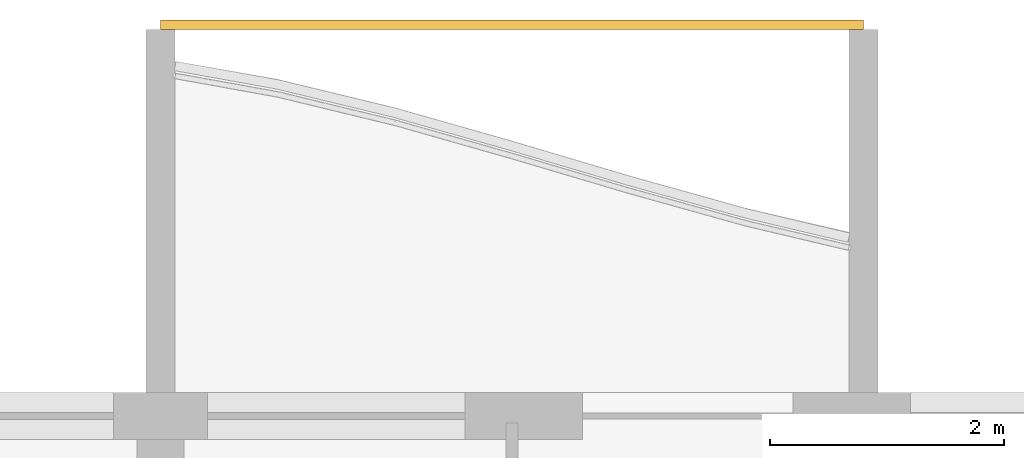
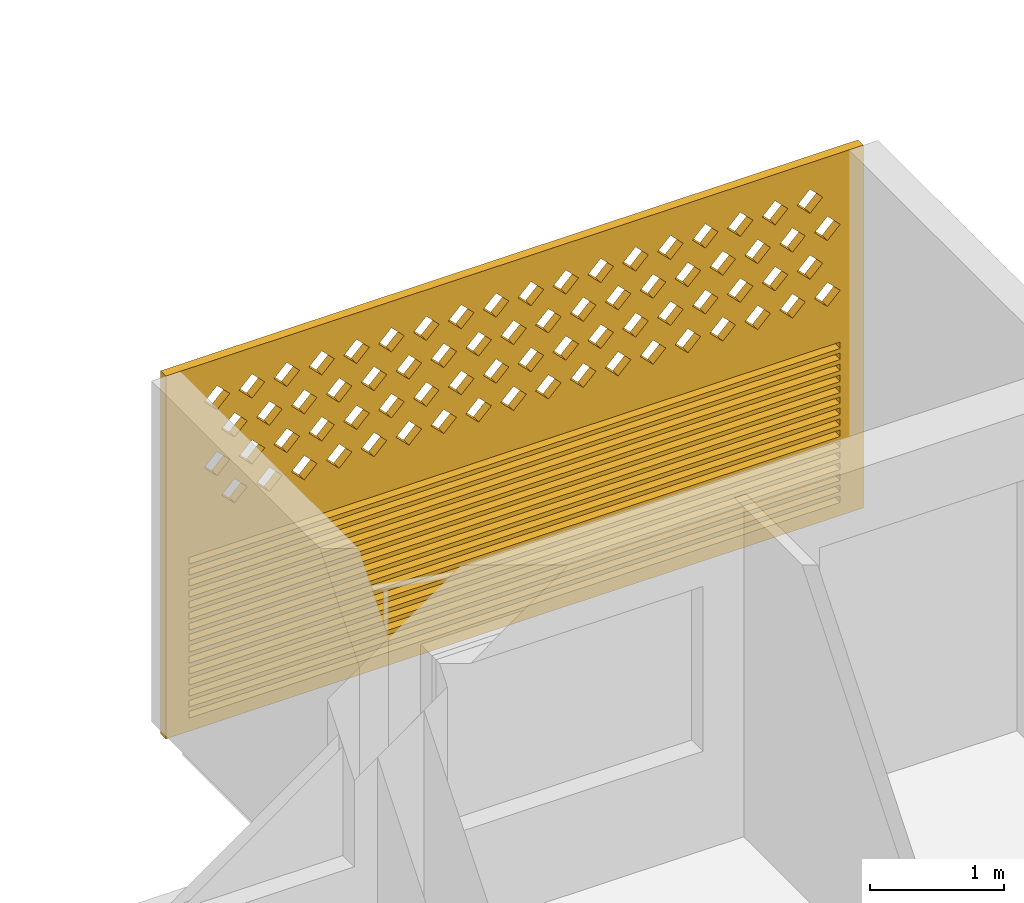
# One storey, part 29 of 38: 1 covering.
"""IFC4 building model written with IfcOpenShell, lengths in metres."""

from ifc_helpers import new_model, si_unit, direction, frame, origin, place, context, subcontext, project, spatial, polyline, outline, extrude, source, transform, mapped, material, material_profile, profile_set, type_object, element, save


model = new_model("IFC4")

# Units and contexts
model_context = context("Model", 3, precision=1e-05, world=origin(), true_north=direction((0.0, 1.0)))
body_context = subcontext(model_context, "Body", "Model", "MODEL_VIEW")
ifc_project = project(units=[si_unit("LENGTHUNIT", "METRE"), si_unit("AREAUNIT", "SQUARE_METRE"), si_unit("VOLUMEUNIT", "CUBIC_METRE"), si_unit("PLANEANGLEUNIT", "RADIAN"), si_unit("MASSUNIT", "GRAM", prefix="KILO")], contexts=[model_context])

# Site, building, storey
site_placement = place(None, origin())
site = spatial("IfcSite", under=ifc_project, at=site_placement, CompositionType="ELEMENT")
building_placement = place(site_placement, origin())
building = spatial("IfcBuilding", under=site, at=building_placement, Name="Poui Terraces", CompositionType="ELEMENT")
storey_placement = place(building_placement, frame((0.0, 0.0, 49.800048828125)))
storey = spatial("IfcBuildingStorey", under=building, at=storey_placement, Name="L13", CompositionType="ELEMENT", Elevation=49.800048828125)

# Covering
ifc_material = material(Name="Terracotta screen", Category="masonry")
ifc_material_profile = material_profile(ifc_material, outline(polyline([(-3.0, -1.64990234375), (3.0, -1.64990234375), (3.0, 1.64990234375), (-3.0, 1.64990234375), (-3.0, -1.64990234375)]), holes=[polyline([(-2.800048828125, 0.39990234375), (-2.68994140625, 0.2900390625), (-2.580078125, 0.39990234375), (-2.68994140625, 0.510009765625), (-2.800048828125, 0.39990234375)]), polyline([(-2.5, 0.39990234375), (-2.389892578125, 0.2900390625), (-2.280029296875, 0.39990234375), (-2.389892578125, 0.510009765625), (-2.5, 0.39990234375)]), polyline([(-2.199951171875, 0.39990234375), (-2.090087890625, 0.2900390625), (-1.97998046875, 0.39990234375), (-2.090087890625, 0.510009765625), (-2.199951171875, 0.39990234375)]), polyline([(-1.89990234375, 0.39990234375), (-1.7900390625, 0.2900390625), (-1.679931640625, 0.39990234375), (-1.7900390625, 0.510009765625), (-1.89990234375, 0.39990234375)]), polyline([(-1.60009765625, 0.39990234375), (-1.489990234375, 0.2900390625), (-1.3798828125, 0.39990234375), (-1.489990234375, 0.510009765625), (-1.60009765625, 0.39990234375)]), polyline([(-1.300048828125, 0.39990234375), (-1.18994140625, 0.2900390625), (-1.080078125, 0.39990234375), (-1.18994140625, 0.510009765625), (-1.300048828125, 0.39990234375)]), polyline([(-1.0, 0.39990234375), (-0.889892578125, 0.2900390625), (-0.780029296875, 0.39990234375), (-0.889892578125, 0.510009765625), (-1.0, 0.39990234375)]), polyline([(-0.699951171875, 0.39990234375), (-0.590087890625, 0.2900390625), (-0.47998046875, 0.39990234375), (-0.590087890625, 0.510009765625), (-0.699951171875, 0.39990234375)]), polyline([(-0.39990234375, 0.39990234375), (-0.2900390625, 0.2900390625), (-0.179931640625, 0.39990234375), (-0.2900390625, 0.510009765625), (-0.39990234375, 0.39990234375)]), polyline([(-0.10009765625, 0.39990234375), (0.010009765625, 0.2900390625), (0.1201171875, 0.39990234375), (0.010009765625, 0.510009765625), (-0.10009765625, 0.39990234375)]), polyline([(0.199951171875, 0.39990234375), (0.31005859375, 0.2900390625), (0.419921875, 0.39990234375), (0.31005859375, 0.510009765625), (0.199951171875, 0.39990234375)]), polyline([(0.5, 0.39990234375), (0.610107421875, 0.2900390625), (0.719970703125, 0.39990234375), (0.610107421875, 0.510009765625), (0.5, 0.39990234375)]), polyline([(0.800048828125, 0.39990234375), (0.909912109375, 0.2900390625), (1.02001953125, 0.39990234375), (0.909912109375, 0.510009765625), (0.800048828125, 0.39990234375)]), polyline([(1.10009765625, 0.39990234375), (1.2099609375, 0.2900390625), (1.320068359375, 0.39990234375), (1.2099609375, 0.510009765625), (1.10009765625, 0.39990234375)]), polyline([(1.39990234375, 0.39990234375), (1.510009765625, 0.2900390625), (1.6201171875, 0.39990234375), (1.510009765625, 0.510009765625), (1.39990234375, 0.39990234375)]), polyline([(1.699951171875, 0.39990234375), (1.81005859375, 0.2900390625), (1.919921875, 0.39990234375), (1.81005859375, 0.510009765625), (1.699951171875, 0.39990234375)]), polyline([(2.0, 0.39990234375), (2.110107421875, 0.2900390625), (2.219970703125, 0.39990234375), (2.110107421875, 0.510009765625), (2.0, 0.39990234375)]), polyline([(2.300048828125, 0.39990234375), (2.409912109375, 0.2900390625), (2.52001953125, 0.39990234375), (2.409912109375, 0.510009765625), (2.300048828125, 0.39990234375)]), polyline([(-2.64990234375, 0.699951171875), (-2.5400390625, 0.590087890625), (-2.429931640625, 0.699951171875), (-2.5400390625, 0.81005859375), (-2.64990234375, 0.699951171875)]), polyline([(-2.35009765625, 0.699951171875), (-2.239990234375, 0.590087890625), (-2.1298828125, 0.699951171875), (-2.239990234375, 0.81005859375), (-2.35009765625, 0.699951171875)]), polyline([(-2.050048828125, 0.699951171875), (-1.93994140625, 0.590087890625), (-1.830078125, 0.699951171875), (-1.93994140625, 0.81005859375), (-2.050048828125, 0.699951171875)]), polyline([(-1.75, 0.699951171875), (-1.639892578125, 0.590087890625), (-1.530029296875, 0.699951171875), (-1.639892578125, 0.81005859375), (-1.75, 0.699951171875)]), polyline([(-1.449951171875, 0.699951171875), (-1.340087890625, 0.590087890625), (-1.22998046875, 0.699951171875), (-1.340087890625, 0.81005859375), (-1.449951171875, 0.699951171875)]), polyline([(-1.14990234375, 0.699951171875), (-1.0400390625, 0.590087890625), (-0.929931640625, 0.699951171875), (-1.0400390625, 0.81005859375), (-1.14990234375, 0.699951171875)]), polyline([(-0.85009765625, 0.699951171875), (-0.739990234375, 0.590087890625), (-0.6298828125, 0.699951171875), (-0.739990234375, 0.81005859375), (-0.85009765625, 0.699951171875)]), polyline([(-0.550048828125, 0.699951171875), (-0.43994140625, 0.590087890625), (-0.330078125, 0.699951171875), (-0.43994140625, 0.81005859375), (-0.550048828125, 0.699951171875)]), polyline([(-0.25, 0.699951171875), (-0.139892578125, 0.590087890625), (-0.030029296875, 0.699951171875), (-0.139892578125, 0.81005859375), (-0.25, 0.699951171875)]), polyline([(0.050048828125, 0.699951171875), (0.159912109375, 0.590087890625), (0.27001953125, 0.699951171875), (0.159912109375, 0.81005859375), (0.050048828125, 0.699951171875)]), polyline([(0.35009765625, 0.699951171875), (0.4599609375, 0.590087890625), (0.570068359375, 0.699951171875), (0.4599609375, 0.81005859375), (0.35009765625, 0.699951171875)]), polyline([(0.64990234375, 0.699951171875), (0.760009765625, 0.590087890625), (0.8701171875, 0.699951171875), (0.760009765625, 0.81005859375), (0.64990234375, 0.699951171875)]), polyline([(0.949951171875, 0.699951171875), (1.06005859375, 0.590087890625), (1.169921875, 0.699951171875), (1.06005859375, 0.81005859375), (0.949951171875, 0.699951171875)]), polyline([(1.25, 0.699951171875), (1.360107421875, 0.590087890625), (1.469970703125, 0.699951171875), (1.360107421875, 0.81005859375), (1.25, 0.699951171875)]), polyline([(1.550048828125, 0.699951171875), (1.659912109375, 0.590087890625), (1.77001953125, 0.699951171875), (1.659912109375, 0.81005859375), (1.550048828125, 0.699951171875)]), polyline([(1.85009765625, 0.699951171875), (1.9599609375, 0.590087890625), (2.070068359375, 0.699951171875), (1.9599609375, 0.81005859375), (1.85009765625, 0.699951171875)]), polyline([(2.14990234375, 0.699951171875), (2.260009765625, 0.590087890625), (2.3701171875, 0.699951171875), (2.260009765625, 0.81005859375), (2.14990234375, 0.699951171875)]), polyline([(2.449951171875, 0.699951171875), (2.56005859375, 0.590087890625), (2.669921875, 0.699951171875), (2.56005859375, 0.81005859375), (2.449951171875, 0.699951171875)]), polyline([(-2.800048828125, 1.0), (-2.68994140625, 0.889892578125), (-2.580078125, 1.0), (-2.68994140625, 1.110107421875), (-2.800048828125, 1.0)]), polyline([(-2.5, 1.0), (-2.389892578125, 0.889892578125), (-2.280029296875, 1.0), (-2.389892578125, 1.110107421875), (-2.5, 1.0)]), polyline([(-2.199951171875, 1.0), (-2.090087890625, 0.889892578125), (-1.97998046875, 1.0), (-2.090087890625, 1.110107421875), (-2.199951171875, 1.0)]), polyline([(-1.89990234375, 1.0), (-1.7900390625, 0.889892578125), (-1.679931640625, 1.0), (-1.7900390625, 1.110107421875), (-1.89990234375, 1.0)]), polyline([(-1.60009765625, 1.0), (-1.489990234375, 0.889892578125), (-1.3798828125, 1.0), (-1.489990234375, 1.110107421875), (-1.60009765625, 1.0)]), polyline([(-1.300048828125, 1.0), (-1.18994140625, 0.889892578125), (-1.080078125, 1.0), (-1.18994140625, 1.110107421875), (-1.300048828125, 1.0)]), polyline([(-1.0, 1.0), (-0.889892578125, 0.889892578125), (-0.780029296875, 1.0), (-0.889892578125, 1.110107421875), (-1.0, 1.0)]), polyline([(-0.699951171875, 1.0), (-0.590087890625, 0.889892578125), (-0.47998046875, 1.0), (-0.590087890625, 1.110107421875), (-0.699951171875, 1.0)]), polyline([(-0.39990234375, 1.0), (-0.2900390625, 0.889892578125), (-0.179931640625, 1.0), (-0.2900390625, 1.110107421875), (-0.39990234375, 1.0)]), polyline([(-0.10009765625, 1.0), (0.010009765625, 0.889892578125), (0.1201171875, 1.0), (0.010009765625, 1.110107421875), (-0.10009765625, 1.0)]), polyline([(0.199951171875, 1.0), (0.31005859375, 0.889892578125), (0.419921875, 1.0), (0.31005859375, 1.110107421875), (0.199951171875, 1.0)]), polyline([(0.5, 1.0), (0.610107421875, 0.889892578125), (0.719970703125, 1.0), (0.610107421875, 1.110107421875), (0.5, 1.0)]), polyline([(0.800048828125, 1.0), (0.909912109375, 0.889892578125), (1.02001953125, 1.0), (0.909912109375, 1.110107421875), (0.800048828125, 1.0)]), polyline([(1.10009765625, 1.0), (1.2099609375, 0.889892578125), (1.320068359375, 1.0), (1.2099609375, 1.110107421875), (1.10009765625, 1.0)]), polyline([(1.39990234375, 1.0), (1.510009765625, 0.889892578125), (1.6201171875, 1.0), (1.510009765625, 1.110107421875), (1.39990234375, 1.0)]), polyline([(1.699951171875, 1.0), (1.81005859375, 0.889892578125), (1.919921875, 1.0), (1.81005859375, 1.110107421875), (1.699951171875, 1.0)]), polyline([(2.0, 1.0), (2.110107421875, 0.889892578125), (2.219970703125, 1.0), (2.110107421875, 1.110107421875), (2.0, 1.0)]), polyline([(2.300048828125, 1.0), (2.409912109375, 0.889892578125), (2.52001953125, 1.0), (2.409912109375, 1.110107421875), (2.300048828125, 1.0)]), polyline([(-2.64990234375, 1.300048828125), (-2.5400390625, 1.18994140625), (-2.429931640625, 1.300048828125), (-2.5400390625, 1.409912109375), (-2.64990234375, 1.300048828125)]), polyline([(-2.35009765625, 1.300048828125), (-2.239990234375, 1.18994140625), (-2.1298828125, 1.300048828125), (-2.239990234375, 1.409912109375), (-2.35009765625, 1.300048828125)]), polyline([(-2.050048828125, 1.300048828125), (-1.93994140625, 1.18994140625), (-1.830078125, 1.300048828125), (-1.93994140625, 1.409912109375), (-2.050048828125, 1.300048828125)]), polyline([(-1.75, 1.300048828125), (-1.639892578125, 1.18994140625), (-1.530029296875, 1.300048828125), (-1.639892578125, 1.409912109375), (-1.75, 1.300048828125)]), polyline([(-1.449951171875, 1.300048828125), (-1.340087890625, 1.18994140625), (-1.22998046875, 1.300048828125), (-1.340087890625, 1.409912109375), (-1.449951171875, 1.300048828125)]), polyline([(-1.14990234375, 1.300048828125), (-1.0400390625, 1.18994140625), (-0.929931640625, 1.300048828125), (-1.0400390625, 1.409912109375), (-1.14990234375, 1.300048828125)]), polyline([(-0.85009765625, 1.300048828125), (-0.739990234375, 1.18994140625), (-0.6298828125, 1.300048828125), (-0.739990234375, 1.409912109375), (-0.85009765625, 1.300048828125)]), polyline([(-0.550048828125, 1.300048828125), (-0.43994140625, 1.18994140625), (-0.330078125, 1.300048828125), (-0.43994140625, 1.409912109375), (-0.550048828125, 1.300048828125)]), polyline([(-0.25, 1.300048828125), (-0.139892578125, 1.18994140625), (-0.030029296875, 1.300048828125), (-0.139892578125, 1.409912109375), (-0.25, 1.300048828125)]), polyline([(0.050048828125, 1.300048828125), (0.159912109375, 1.18994140625), (0.27001953125, 1.300048828125), (0.159912109375, 1.409912109375), (0.050048828125, 1.300048828125)]), polyline([(0.35009765625, 1.300048828125), (0.4599609375, 1.18994140625), (0.570068359375, 1.300048828125), (0.4599609375, 1.409912109375), (0.35009765625, 1.300048828125)]), polyline([(0.64990234375, 1.300048828125), (0.760009765625, 1.18994140625), (0.8701171875, 1.300048828125), (0.760009765625, 1.409912109375), (0.64990234375, 1.300048828125)]), polyline([(0.949951171875, 1.300048828125), (1.06005859375, 1.18994140625), (1.169921875, 1.300048828125), (1.06005859375, 1.409912109375), (0.949951171875, 1.300048828125)]), polyline([(1.25, 1.300048828125), (1.360107421875, 1.18994140625), (1.469970703125, 1.300048828125), (1.360107421875, 1.409912109375), (1.25, 1.300048828125)]), polyline([(1.550048828125, 1.300048828125), (1.659912109375, 1.18994140625), (1.77001953125, 1.300048828125), (1.659912109375, 1.409912109375), (1.550048828125, 1.300048828125)]), polyline([(1.85009765625, 1.300048828125), (1.9599609375, 1.18994140625), (2.070068359375, 1.300048828125), (1.9599609375, 1.409912109375), (1.85009765625, 1.300048828125)]), polyline([(2.14990234375, 1.300048828125), (2.260009765625, 1.18994140625), (2.3701171875, 1.300048828125), (2.260009765625, 1.409912109375), (2.14990234375, 1.300048828125)]), polyline([(2.449951171875, 1.300048828125), (2.56005859375, 1.18994140625), (2.669921875, 1.300048828125), (2.56005859375, 1.409912109375), (2.449951171875, 1.300048828125)]), polyline([(-2.800048828125, -1.530029296875), (2.800048828125, -1.530029296875), (2.800048828125, -1.469970703125), (-2.800048828125, -1.469970703125), (-2.800048828125, -1.530029296875)]), polyline([(-2.800048828125, -1.429931640625), (2.800048828125, -1.429931640625), (2.800048828125, -1.3701171875), (-2.800048828125, -1.3701171875), (-2.800048828125, -1.429931640625)]), polyline([(-2.800048828125, -1.330078125), (2.800048828125, -1.330078125), (2.800048828125, -1.27001953125), (-2.800048828125, -1.27001953125), (-2.800048828125, -1.330078125)]), polyline([(-2.800048828125, -1.22998046875), (2.800048828125, -1.22998046875), (2.800048828125, -1.169921875), (-2.800048828125, -1.169921875), (-2.800048828125, -1.22998046875)]), polyline([(-2.800048828125, -1.1298828125), (2.800048828125, -1.1298828125), (2.800048828125, -1.070068359375), (-2.800048828125, -1.070068359375), (-2.800048828125, -1.1298828125)]), polyline([(-2.800048828125, -1.030029296875), (2.800048828125, -1.030029296875), (2.800048828125, -0.969970703125), (-2.800048828125, -0.969970703125), (-2.800048828125, -1.030029296875)]), polyline([(-2.800048828125, -0.929931640625), (2.800048828125, -0.929931640625), (2.800048828125, -0.8701171875), (-2.800048828125, -0.8701171875), (-2.800048828125, -0.929931640625)]), polyline([(-2.800048828125, -0.830078125), (2.800048828125, -0.830078125), (2.800048828125, -0.77001953125), (-2.800048828125, -0.77001953125), (-2.800048828125, -0.830078125)]), polyline([(-2.800048828125, -0.72998046875), (2.800048828125, -0.72998046875), (2.800048828125, -0.669921875), (-2.800048828125, -0.669921875), (-2.800048828125, -0.72998046875)]), polyline([(-2.800048828125, -0.6298828125), (2.800048828125, -0.6298828125), (2.800048828125, -0.570068359375), (-2.800048828125, -0.570068359375), (-2.800048828125, -0.6298828125)]), polyline([(-2.800048828125, -0.530029296875), (2.800048828125, -0.530029296875), (2.800048828125, -0.469970703125), (-2.800048828125, -0.469970703125), (-2.800048828125, -0.530029296875)]), polyline([(-2.800048828125, -0.429931640625), (2.800048828125, -0.429931640625), (2.800048828125, -0.3701171875), (-2.800048828125, -0.3701171875), (-2.800048828125, -0.429931640625)]), polyline([(-2.800048828125, -0.330078125), (2.800048828125, -0.330078125), (2.800048828125, -0.27001953125), (-2.800048828125, -0.27001953125), (-2.800048828125, -0.330078125)]), polyline([(-2.800048828125, -0.22998046875), (2.800048828125, -0.22998046875), (2.800048828125, -0.169921875), (-2.800048828125, -0.169921875), (-2.800048828125, -0.22998046875)]), polyline([(-2.800048828125, -0.1298828125), (2.800048828125, -0.1298828125), (2.800048828125, -0.070068359375), (-2.800048828125, -0.070068359375), (-2.800048828125, -0.1298828125)])]), Name="TERRACOTTA SCREEN AND JALOUSIE LOUVRE 6000X3300")
ifc_profile_set = profile_set([ifc_material_profile], Name="Terracotta screen")
covering_type = type_object("IfcCoveringType", Name="TERRACOTTA SCREEN AND JALOUSIE LOUVRE 6000X3300", PredefinedType="CLADDING", material=ifc_profile_set)
shared_shape = source(origin(), body_context, "Body", "SweptSolid", [
    extrude(outline(polyline([(-3.0, -1.64990234375), (3.0, -1.64990234375), (3.0, 1.64990234375), (-3.0, 1.64990234375), (-3.0, -1.64990234375)]), holes=[polyline([(-2.800048828125, 0.39990234375), (-2.68994140625, 0.2900390625), (-2.580078125, 0.39990234375), (-2.68994140625, 0.510009765625), (-2.800048828125, 0.39990234375)]), polyline([(-2.5, 0.39990234375), (-2.389892578125, 0.2900390625), (-2.280029296875, 0.39990234375), (-2.389892578125, 0.510009765625), (-2.5, 0.39990234375)]), polyline([(-2.199951171875, 0.39990234375), (-2.090087890625, 0.2900390625), (-1.97998046875, 0.39990234375), (-2.090087890625, 0.510009765625), (-2.199951171875, 0.39990234375)]), polyline([(-1.89990234375, 0.39990234375), (-1.7900390625, 0.2900390625), (-1.679931640625, 0.39990234375), (-1.7900390625, 0.510009765625), (-1.89990234375, 0.39990234375)]), polyline([(-1.60009765625, 0.39990234375), (-1.489990234375, 0.2900390625), (-1.3798828125, 0.39990234375), (-1.489990234375, 0.510009765625), (-1.60009765625, 0.39990234375)]), polyline([(-1.300048828125, 0.39990234375), (-1.18994140625, 0.2900390625), (-1.080078125, 0.39990234375), (-1.18994140625, 0.510009765625), (-1.300048828125, 0.39990234375)]), polyline([(-1.0, 0.39990234375), (-0.889892578125, 0.2900390625), (-0.780029296875, 0.39990234375), (-0.889892578125, 0.510009765625), (-1.0, 0.39990234375)]), polyline([(-0.699951171875, 0.39990234375), (-0.590087890625, 0.2900390625), (-0.47998046875, 0.39990234375), (-0.590087890625, 0.510009765625), (-0.699951171875, 0.39990234375)]), polyline([(-0.39990234375, 0.39990234375), (-0.2900390625, 0.2900390625), (-0.179931640625, 0.39990234375), (-0.2900390625, 0.510009765625), (-0.39990234375, 0.39990234375)]), polyline([(-0.10009765625, 0.39990234375), (0.010009765625, 0.2900390625), (0.1201171875, 0.39990234375), (0.010009765625, 0.510009765625), (-0.10009765625, 0.39990234375)]), polyline([(0.199951171875, 0.39990234375), (0.31005859375, 0.2900390625), (0.419921875, 0.39990234375), (0.31005859375, 0.510009765625), (0.199951171875, 0.39990234375)]), polyline([(0.5, 0.39990234375), (0.610107421875, 0.2900390625), (0.719970703125, 0.39990234375), (0.610107421875, 0.510009765625), (0.5, 0.39990234375)]), polyline([(0.800048828125, 0.39990234375), (0.909912109375, 0.2900390625), (1.02001953125, 0.39990234375), (0.909912109375, 0.510009765625), (0.800048828125, 0.39990234375)]), polyline([(1.10009765625, 0.39990234375), (1.2099609375, 0.2900390625), (1.320068359375, 0.39990234375), (1.2099609375, 0.510009765625), (1.10009765625, 0.39990234375)]), polyline([(1.39990234375, 0.39990234375), (1.510009765625, 0.2900390625), (1.6201171875, 0.39990234375), (1.510009765625, 0.510009765625), (1.39990234375, 0.39990234375)]), polyline([(1.699951171875, 0.39990234375), (1.81005859375, 0.2900390625), (1.919921875, 0.39990234375), (1.81005859375, 0.510009765625), (1.699951171875, 0.39990234375)]), polyline([(2.0, 0.39990234375), (2.110107421875, 0.2900390625), (2.219970703125, 0.39990234375), (2.110107421875, 0.510009765625), (2.0, 0.39990234375)]), polyline([(2.300048828125, 0.39990234375), (2.409912109375, 0.2900390625), (2.52001953125, 0.39990234375), (2.409912109375, 0.510009765625), (2.300048828125, 0.39990234375)]), polyline([(-2.64990234375, 0.699951171875), (-2.5400390625, 0.590087890625), (-2.429931640625, 0.699951171875), (-2.5400390625, 0.81005859375), (-2.64990234375, 0.699951171875)]), polyline([(-2.35009765625, 0.699951171875), (-2.239990234375, 0.590087890625), (-2.1298828125, 0.699951171875), (-2.239990234375, 0.81005859375), (-2.35009765625, 0.699951171875)]), polyline([(-2.050048828125, 0.699951171875), (-1.93994140625, 0.590087890625), (-1.830078125, 0.699951171875), (-1.93994140625, 0.81005859375), (-2.050048828125, 0.699951171875)]), polyline([(-1.75, 0.699951171875), (-1.639892578125, 0.590087890625), (-1.530029296875, 0.699951171875), (-1.639892578125, 0.81005859375), (-1.75, 0.699951171875)]), polyline([(-1.449951171875, 0.699951171875), (-1.340087890625, 0.590087890625), (-1.22998046875, 0.699951171875), (-1.340087890625, 0.81005859375), (-1.449951171875, 0.699951171875)]), polyline([(-1.14990234375, 0.699951171875), (-1.0400390625, 0.590087890625), (-0.929931640625, 0.699951171875), (-1.0400390625, 0.81005859375), (-1.14990234375, 0.699951171875)]), polyline([(-0.85009765625, 0.699951171875), (-0.739990234375, 0.590087890625), (-0.6298828125, 0.699951171875), (-0.739990234375, 0.81005859375), (-0.85009765625, 0.699951171875)]), polyline([(-0.550048828125, 0.699951171875), (-0.43994140625, 0.590087890625), (-0.330078125, 0.699951171875), (-0.43994140625, 0.81005859375), (-0.550048828125, 0.699951171875)]), polyline([(-0.25, 0.699951171875), (-0.139892578125, 0.590087890625), (-0.030029296875, 0.699951171875), (-0.139892578125, 0.81005859375), (-0.25, 0.699951171875)]), polyline([(0.050048828125, 0.699951171875), (0.159912109375, 0.590087890625), (0.27001953125, 0.699951171875), (0.159912109375, 0.81005859375), (0.050048828125, 0.699951171875)]), polyline([(0.35009765625, 0.699951171875), (0.4599609375, 0.590087890625), (0.570068359375, 0.699951171875), (0.4599609375, 0.81005859375), (0.35009765625, 0.699951171875)]), polyline([(0.64990234375, 0.699951171875), (0.760009765625, 0.590087890625), (0.8701171875, 0.699951171875), (0.760009765625, 0.81005859375), (0.64990234375, 0.699951171875)]), polyline([(0.949951171875, 0.699951171875), (1.06005859375, 0.590087890625), (1.169921875, 0.699951171875), (1.06005859375, 0.81005859375), (0.949951171875, 0.699951171875)]), polyline([(1.25, 0.699951171875), (1.360107421875, 0.590087890625), (1.469970703125, 0.699951171875), (1.360107421875, 0.81005859375), (1.25, 0.699951171875)]), polyline([(1.550048828125, 0.699951171875), (1.659912109375, 0.590087890625), (1.77001953125, 0.699951171875), (1.659912109375, 0.81005859375), (1.550048828125, 0.699951171875)]), polyline([(1.85009765625, 0.699951171875), (1.9599609375, 0.590087890625), (2.070068359375, 0.699951171875), (1.9599609375, 0.81005859375), (1.85009765625, 0.699951171875)]), polyline([(2.14990234375, 0.699951171875), (2.260009765625, 0.590087890625), (2.3701171875, 0.699951171875), (2.260009765625, 0.81005859375), (2.14990234375, 0.699951171875)]), polyline([(2.449951171875, 0.699951171875), (2.56005859375, 0.590087890625), (2.669921875, 0.699951171875), (2.56005859375, 0.81005859375), (2.449951171875, 0.699951171875)]), polyline([(-2.800048828125, 1.0), (-2.68994140625, 0.889892578125), (-2.580078125, 1.0), (-2.68994140625, 1.110107421875), (-2.800048828125, 1.0)]), polyline([(-2.5, 1.0), (-2.389892578125, 0.889892578125), (-2.280029296875, 1.0), (-2.389892578125, 1.110107421875), (-2.5, 1.0)]), polyline([(-2.199951171875, 1.0), (-2.090087890625, 0.889892578125), (-1.97998046875, 1.0), (-2.090087890625, 1.110107421875), (-2.199951171875, 1.0)]), polyline([(-1.89990234375, 1.0), (-1.7900390625, 0.889892578125), (-1.679931640625, 1.0), (-1.7900390625, 1.110107421875), (-1.89990234375, 1.0)]), polyline([(-1.60009765625, 1.0), (-1.489990234375, 0.889892578125), (-1.3798828125, 1.0), (-1.489990234375, 1.110107421875), (-1.60009765625, 1.0)]), polyline([(-1.300048828125, 1.0), (-1.18994140625, 0.889892578125), (-1.080078125, 1.0), (-1.18994140625, 1.110107421875), (-1.300048828125, 1.0)]), polyline([(-1.0, 1.0), (-0.889892578125, 0.889892578125), (-0.780029296875, 1.0), (-0.889892578125, 1.110107421875), (-1.0, 1.0)]), polyline([(-0.699951171875, 1.0), (-0.590087890625, 0.889892578125), (-0.47998046875, 1.0), (-0.590087890625, 1.110107421875), (-0.699951171875, 1.0)]), polyline([(-0.39990234375, 1.0), (-0.2900390625, 0.889892578125), (-0.179931640625, 1.0), (-0.2900390625, 1.110107421875), (-0.39990234375, 1.0)]), polyline([(-0.10009765625, 1.0), (0.010009765625, 0.889892578125), (0.1201171875, 1.0), (0.010009765625, 1.110107421875), (-0.10009765625, 1.0)]), polyline([(0.199951171875, 1.0), (0.31005859375, 0.889892578125), (0.419921875, 1.0), (0.31005859375, 1.110107421875), (0.199951171875, 1.0)]), polyline([(0.5, 1.0), (0.610107421875, 0.889892578125), (0.719970703125, 1.0), (0.610107421875, 1.110107421875), (0.5, 1.0)]), polyline([(0.800048828125, 1.0), (0.909912109375, 0.889892578125), (1.02001953125, 1.0), (0.909912109375, 1.110107421875), (0.800048828125, 1.0)]), polyline([(1.10009765625, 1.0), (1.2099609375, 0.889892578125), (1.320068359375, 1.0), (1.2099609375, 1.110107421875), (1.10009765625, 1.0)]), polyline([(1.39990234375, 1.0), (1.510009765625, 0.889892578125), (1.6201171875, 1.0), (1.510009765625, 1.110107421875), (1.39990234375, 1.0)]), polyline([(1.699951171875, 1.0), (1.81005859375, 0.889892578125), (1.919921875, 1.0), (1.81005859375, 1.110107421875), (1.699951171875, 1.0)]), polyline([(2.0, 1.0), (2.110107421875, 0.889892578125), (2.219970703125, 1.0), (2.110107421875, 1.110107421875), (2.0, 1.0)]), polyline([(2.300048828125, 1.0), (2.409912109375, 0.889892578125), (2.52001953125, 1.0), (2.409912109375, 1.110107421875), (2.300048828125, 1.0)]), polyline([(-2.64990234375, 1.300048828125), (-2.5400390625, 1.18994140625), (-2.429931640625, 1.300048828125), (-2.5400390625, 1.409912109375), (-2.64990234375, 1.300048828125)]), polyline([(-2.35009765625, 1.300048828125), (-2.239990234375, 1.18994140625), (-2.1298828125, 1.300048828125), (-2.239990234375, 1.409912109375), (-2.35009765625, 1.300048828125)]), polyline([(-2.050048828125, 1.300048828125), (-1.93994140625, 1.18994140625), (-1.830078125, 1.300048828125), (-1.93994140625, 1.409912109375), (-2.050048828125, 1.300048828125)]), polyline([(-1.75, 1.300048828125), (-1.639892578125, 1.18994140625), (-1.530029296875, 1.300048828125), (-1.639892578125, 1.409912109375), (-1.75, 1.300048828125)]), polyline([(-1.449951171875, 1.300048828125), (-1.340087890625, 1.18994140625), (-1.22998046875, 1.300048828125), (-1.340087890625, 1.409912109375), (-1.449951171875, 1.300048828125)]), polyline([(-1.14990234375, 1.300048828125), (-1.0400390625, 1.18994140625), (-0.929931640625, 1.300048828125), (-1.0400390625, 1.409912109375), (-1.14990234375, 1.300048828125)]), polyline([(-0.85009765625, 1.300048828125), (-0.739990234375, 1.18994140625), (-0.6298828125, 1.300048828125), (-0.739990234375, 1.409912109375), (-0.85009765625, 1.300048828125)]), polyline([(-0.550048828125, 1.300048828125), (-0.43994140625, 1.18994140625), (-0.330078125, 1.300048828125), (-0.43994140625, 1.409912109375), (-0.550048828125, 1.300048828125)]), polyline([(-0.25, 1.300048828125), (-0.139892578125, 1.18994140625), (-0.030029296875, 1.300048828125), (-0.139892578125, 1.409912109375), (-0.25, 1.300048828125)]), polyline([(0.050048828125, 1.300048828125), (0.159912109375, 1.18994140625), (0.27001953125, 1.300048828125), (0.159912109375, 1.409912109375), (0.050048828125, 1.300048828125)]), polyline([(0.35009765625, 1.300048828125), (0.4599609375, 1.18994140625), (0.570068359375, 1.300048828125), (0.4599609375, 1.409912109375), (0.35009765625, 1.300048828125)]), polyline([(0.64990234375, 1.300048828125), (0.760009765625, 1.18994140625), (0.8701171875, 1.300048828125), (0.760009765625, 1.409912109375), (0.64990234375, 1.300048828125)]), polyline([(0.949951171875, 1.300048828125), (1.06005859375, 1.18994140625), (1.169921875, 1.300048828125), (1.06005859375, 1.409912109375), (0.949951171875, 1.300048828125)]), polyline([(1.25, 1.300048828125), (1.360107421875, 1.18994140625), (1.469970703125, 1.300048828125), (1.360107421875, 1.409912109375), (1.25, 1.300048828125)]), polyline([(1.550048828125, 1.300048828125), (1.659912109375, 1.18994140625), (1.77001953125, 1.300048828125), (1.659912109375, 1.409912109375), (1.550048828125, 1.300048828125)]), polyline([(1.85009765625, 1.300048828125), (1.9599609375, 1.18994140625), (2.070068359375, 1.300048828125), (1.9599609375, 1.409912109375), (1.85009765625, 1.300048828125)]), polyline([(2.14990234375, 1.300048828125), (2.260009765625, 1.18994140625), (2.3701171875, 1.300048828125), (2.260009765625, 1.409912109375), (2.14990234375, 1.300048828125)]), polyline([(2.449951171875, 1.300048828125), (2.56005859375, 1.18994140625), (2.669921875, 1.300048828125), (2.56005859375, 1.409912109375), (2.449951171875, 1.300048828125)]), polyline([(-2.800048828125, -1.530029296875), (2.800048828125, -1.530029296875), (2.800048828125, -1.469970703125), (-2.800048828125, -1.469970703125), (-2.800048828125, -1.530029296875)]), polyline([(-2.800048828125, -1.429931640625), (2.800048828125, -1.429931640625), (2.800048828125, -1.3701171875), (-2.800048828125, -1.3701171875), (-2.800048828125, -1.429931640625)]), polyline([(-2.800048828125, -1.330078125), (2.800048828125, -1.330078125), (2.800048828125, -1.27001953125), (-2.800048828125, -1.27001953125), (-2.800048828125, -1.330078125)]), polyline([(-2.800048828125, -1.22998046875), (2.800048828125, -1.22998046875), (2.800048828125, -1.169921875), (-2.800048828125, -1.169921875), (-2.800048828125, -1.22998046875)]), polyline([(-2.800048828125, -1.1298828125), (2.800048828125, -1.1298828125), (2.800048828125, -1.070068359375), (-2.800048828125, -1.070068359375), (-2.800048828125, -1.1298828125)]), polyline([(-2.800048828125, -1.030029296875), (2.800048828125, -1.030029296875), (2.800048828125, -0.969970703125), (-2.800048828125, -0.969970703125), (-2.800048828125, -1.030029296875)]), polyline([(-2.800048828125, -0.929931640625), (2.800048828125, -0.929931640625), (2.800048828125, -0.8701171875), (-2.800048828125, -0.8701171875), (-2.800048828125, -0.929931640625)]), polyline([(-2.800048828125, -0.830078125), (2.800048828125, -0.830078125), (2.800048828125, -0.77001953125), (-2.800048828125, -0.77001953125), (-2.800048828125, -0.830078125)]), polyline([(-2.800048828125, -0.72998046875), (2.800048828125, -0.72998046875), (2.800048828125, -0.669921875), (-2.800048828125, -0.669921875), (-2.800048828125, -0.72998046875)]), polyline([(-2.800048828125, -0.6298828125), (2.800048828125, -0.6298828125), (2.800048828125, -0.570068359375), (-2.800048828125, -0.570068359375), (-2.800048828125, -0.6298828125)]), polyline([(-2.800048828125, -0.530029296875), (2.800048828125, -0.530029296875), (2.800048828125, -0.469970703125), (-2.800048828125, -0.469970703125), (-2.800048828125, -0.530029296875)]), polyline([(-2.800048828125, -0.429931640625), (2.800048828125, -0.429931640625), (2.800048828125, -0.3701171875), (-2.800048828125, -0.3701171875), (-2.800048828125, -0.429931640625)]), polyline([(-2.800048828125, -0.330078125), (2.800048828125, -0.330078125), (2.800048828125, -0.27001953125), (-2.800048828125, -0.27001953125), (-2.800048828125, -0.330078125)]), polyline([(-2.800048828125, -0.22998046875), (2.800048828125, -0.22998046875), (2.800048828125, -0.169921875), (-2.800048828125, -0.169921875), (-2.800048828125, -0.22998046875)]), polyline([(-2.800048828125, -0.1298828125), (2.800048828125, -0.1298828125), (2.800048828125, -0.070068359375), (-2.800048828125, -0.070068359375), (-2.800048828125, -0.1298828125)])]), origin(), (0.0, 0.0, 1.0), 0.079833984375),
])
covering_placement = place(storey_placement, frame((57.0, 48.10009765625, 1.449951171875), z_axis=(0.0, 1.0, 0.0), x_axis=(-1.0, 0.0, 0.0)))
element("IfcCovering", 1, at=covering_placement, inside=storey, type_object=covering_type, Name="SOLAR SCREEN AND JALOUSIE LOUVRE", PredefinedType="CLADDING", context=body_context, shape_type="MappedRepresentation", body=[
    mapped(shared_shape, transform((0.0, 0.0, 0.0))),
])

save(model, "model.ifc")
